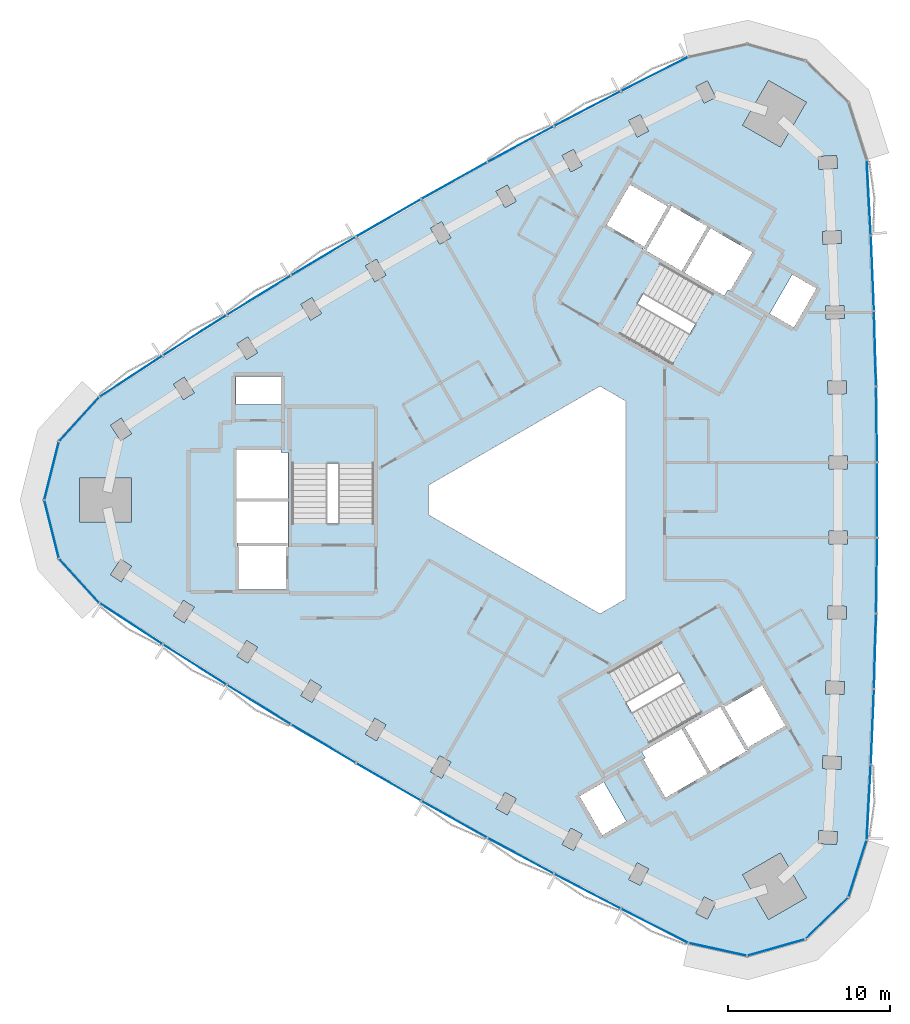
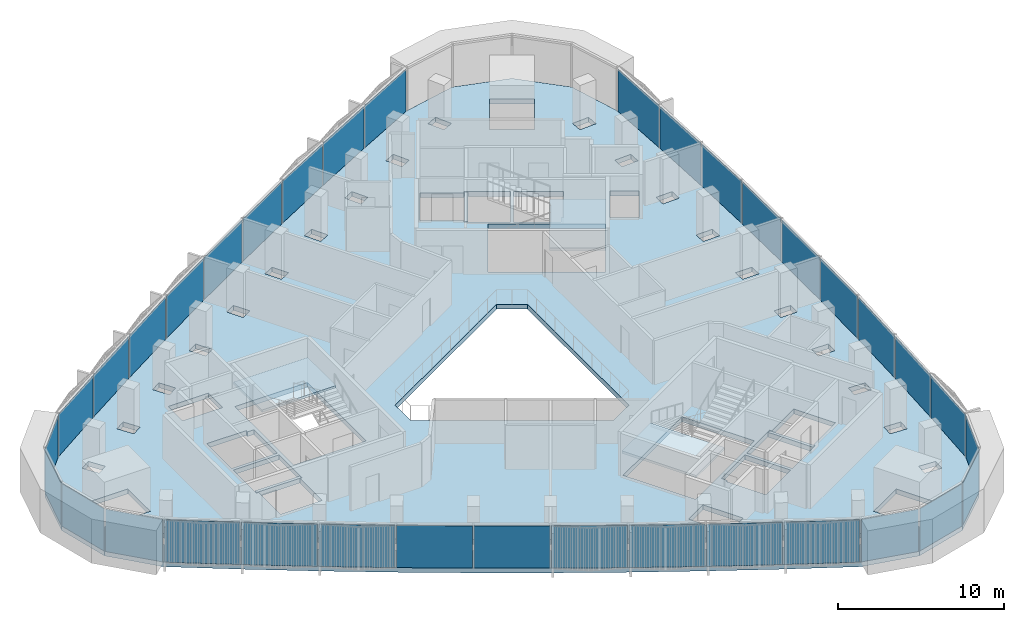
# One storey, part 6 of 13: 35 plates, 4 slabs, 6 elements without a shape of their own.
"""IFC4 building model written with IfcOpenShell, lengths in metres."""

from ifc_helpers import new_model, si_unit, direction, frame, origin, origin_2d, place, context, subcontext, project, spatial, polyline, rectangle, outline, extrude, material, layer, layer_set, type_object, element, aggregate, save


model = new_model("IFC4")

# Units and contexts
model_context = context("Model", 3, precision=1e-05, world=origin(), true_north=direction((0.0, 1.0)))
body_context = subcontext(model_context, "Body", "Model", "MODEL_VIEW")
ifc_project = project(units=[si_unit("LENGTHUNIT", "METRE"), si_unit("AREAUNIT", "SQUARE_METRE"), si_unit("VOLUMEUNIT", "CUBIC_METRE"), si_unit("PLANEANGLEUNIT", "RADIAN"), si_unit("MASSUNIT", "GRAM", prefix="KILO")], contexts=[model_context])

# Site, building, storey
site_placement = place(None, origin())
site = spatial("IfcSite", under=ifc_project, at=site_placement, CompositionType="ELEMENT")
building_placement = place(site_placement, origin())
building = spatial("IfcBuilding", under=site, at=building_placement, Name="Tamra Quay Hotel Tower", CompositionType="ELEMENT")
storey_placement = place(building_placement, frame((0.0, 0.0, 193.60009765625)))
storey = spatial("IfcBuildingStorey", under=building, at=storey_placement, Name="L48", CompositionType="ELEMENT", Elevation=193.60009765625)

# Stair, slab
ifc_material_1 = material(Name="Exit stair 2200 24 risers 150.0 going 342")
stair_type = type_object("IfcStairType", Name="Exit stair 2200 24 risers 150.0 going 342", PredefinedType="HALF_TURN_STAIR", material=ifc_material_1)
stair_1_placement = place(storey_placement, origin())
stair_1 = element("IfcStair", 1, at=stair_1_placement, inside=storey, type_object=stair_type, Name="L48 Exit stair ST3", PredefinedType="HALF_TURN_STAIR")
ifc_material_2 = material(Name="Concrete M70", Category="concrete")
ifc_layer_1 = layer(ifc_material_2, 0.175048828125)
ifc_layer_set_1 = layer_set([ifc_layer_1], Name="Concrete M70 stair landing 180")
slab_type_1 = type_object("IfcSlabType", Name="Concrete M70 stair landing 180", PredefinedType="LANDING", material=ifc_layer_set_1)
slab_1_placement = place(storey_placement, frame((0.0, 0.0, 1.625)))
slab_1 = element("IfcSlab", 2, at=slab_1_placement, type_object=slab_type_1, Name="ST3 landing 1", PredefinedType="LANDING", context=body_context, shape_type="SweptSolid", body=[
    extrude(outline(polyline([(-10.932373046875, 2.261962890625), (-10.932373046875, 5.679931640625), (-16.09130859375, 5.679931640625), (-16.09130859375, 2.261962890625), (-10.932373046875, 2.261962890625)])), origin(), (0.0, 0.0, 1.0), 0.1748046875),
])
aggregate(stair_1, [slab_1])

stair_2_placement = place(storey_placement, origin())
stair_2 = element("IfcStair", 3, at=stair_2_placement, inside=storey, type_object=stair_type, Name="L48 Exit stair ST1", PredefinedType="HALF_TURN_STAIR")
slab_2_placement = place(storey_placement, frame((0.0, 0.0, 1.625)))
slab_2 = element("IfcSlab", 4, at=slab_2_placement, type_object=slab_type_1, Name="ST1 landing 1", PredefinedType="LANDING", context=body_context, shape_type="SweptSolid", body=[
    extrude(outline(polyline([(7.425048828125, 8.336669921875), (10.385009765625, 6.627685546875), (12.964599609375, 11.095458984375), (10.00439453125, 12.804443359375), (7.425048828125, 8.336669921875)])), origin(), (0.0, 0.0, 1.0), 0.1748046875),
])
aggregate(stair_2, [slab_2])

stair_3_placement = place(storey_placement, origin())
stair_3 = element("IfcStair", 5, at=stair_3_placement, inside=storey, type_object=stair_type, Name="L48 Exit stair ST2", PredefinedType="HALF_TURN_STAIR")
slab_3_placement = place(storey_placement, frame((0.0, 0.0, 1.625)))
slab_3 = element("IfcSlab", 6, at=slab_3_placement, type_object=slab_type_1, Name="ST2 landing 1", PredefinedType="LANDING", context=body_context, shape_type="SweptSolid", body=[
    extrude(outline(polyline([(3.50732421875, -10.5986328125), (0.547119140625, -12.3076171875), (3.126708984375, -16.775390625), (6.086669921875, -15.06640625), (3.50732421875, -10.5986328125)])), origin(), (0.0, 0.0, 1.0), 0.1748046875),
])
aggregate(stair_3, [slab_3])

# Slab
ifc_material_3 = material(Name="Concrete M60", Category="concrete")
ifc_layer_2 = layer(ifc_material_3, 0.35009765625)
ifc_layer_set_2 = layer_set([ifc_layer_2], Name="FLOOR SLAB PT 350")
slab_type_2 = type_object("IfcSlabType", Name="FLOOR SLAB PT 350", PredefinedType="FLOOR", material=ifc_layer_set_2)
slab_4_placement = place(storey_placement, frame((0.0, 0.0, -0.35009765625)))
element("IfcSlab", 7, at=slab_4_placement, inside=storey, type_object=slab_type_2, Name="SLAB-L48", PredefinedType="FLOOR", context=body_context, shape_type="SweptSolid", body=[
    extrude(outline(polyline([(19.734619140625, 16.342041015625), (19.9287109375, 11.6748046875), (20.058349609375, 7.006591796875), (20.123291015625, 2.335693359375), (20.123291015625, -2.335693359375), (20.058349609375, -7.006591796875), (19.9287109375, -11.6748046875), (19.734619140625, -16.342041015625), (19.4755859375, -21.00537109375), (18.345703125, -24.553466796875), (15.67236328125, -27.1455078125), (12.091064453125, -28.164794921875), (8.453369140625, -27.369140625), (4.285400390625, -25.261474609375), (0.146240234375, -23.09619140625), (-3.961181640625, -20.87451171875), (-8.038818359375, -18.59521484375), (-12.08447265625, -16.259521484375), (-16.09716796875, -13.86767578125), (-20.074951171875, -11.42138671875), (-24.019775390625, -8.91943359375), (-27.928955078125, -6.36376953125), (-30.436767578125, -3.611083984375), (-31.3447265625, 0.0), (-30.436767578125, 3.611083984375), (-27.928955078125, 6.36376953125), (-24.019775390625, 8.91943359375), (-20.074951171875, 11.42138671875), (-16.09716796875, 13.86767578125), (-12.08447265625, 16.259521484375), (-8.038818359375, 18.59521484375), (-3.961181640625, 20.87451171875), (0.146240234375, 23.09619140625), (4.285400390625, 25.261474609375), (8.453369140625, 27.369140625), (12.091064453125, 28.164794921875), (15.67236328125, 27.1455078125), (18.345703125, 24.553466796875), (19.4755859375, 21.00537109375), (19.734619140625, 16.342041015625)]), holes=[polyline([(-11.500244140625, -14.4736328125), (-10.810302734375, -14.87841796875), (-10.228271484375, -13.88671875), (-10.918212890625, -13.481689453125), (-11.500244140625, -14.4736328125)]), polyline([(-14.89208984375, -11.106689453125), (-15.488037109375, -12.09033203125), (-14.8037109375, -12.5048828125), (-14.207763671875, -11.521240234375), (-14.89208984375, -11.106689453125)]), polyline([(-18.83349609375, -8.6767578125), (-19.4423828125, -9.65234375), (-18.763916015625, -10.075927734375), (-18.15478515625, -9.100341796875), (-18.83349609375, -8.6767578125)]), polyline([(-23.362548828125, -7.159423828125), (-22.689697265625, -7.59228515625), (-22.0673828125, -6.62548828125), (-22.739990234375, -6.1923828125), (-23.362548828125, -7.159423828125)]), polyline([(-26.6123046875, -3.654296875), (-27.247802734375, -4.612548828125), (-26.5810546875, -5.0546875), (-25.945556640625, -4.096435546875), (-26.6123046875, -3.654296875)]), polyline([(-16.3173828125, -2.85498046875), (-19.4072265625, -2.85498046875), (-19.4072265625, -2.89306640625), (-19.307373046875, -2.89306640625), (-19.307373046875, -5.544921875), (-16.417236328125, -5.544921875), (-16.417236328125, -2.89306640625), (-16.3173828125, -2.89306640625), (-16.3173828125, -2.85498046875)]), polyline([(-19.417236328125, -2.64501953125), (-16.307373046875, -2.64501953125), (-16.307373046875, -2.89306640625), (-16.26708984375, -2.89306640625), (-16.26708984375, -0.10498046875), (-19.45751953125, -0.10498046875), (-19.45751953125, -2.89306640625), (-19.417236328125, -2.89306640625), (-19.417236328125, -2.64501953125)]), polyline([(-25.958984375, 1.35009765625), (-29.158935546875, 1.35009765625), (-29.158935546875, -1.35009765625), (-25.958984375, -1.35009765625), (-25.958984375, 1.35009765625)]), polyline([(-16.26708984375, 2.945068359375), (-16.707275390625, 2.945068359375), (-16.707275390625, 3.09521484375), (-19.45751953125, 3.09521484375), (-19.45751953125, 0.10498046875), (-16.26708984375, 0.10498046875), (-16.26708984375, 2.945068359375)]), polyline([(-10.9873046875, -1.455078125), (-10.9873046875, 5.625), (-16.036376953125, 5.625), (-16.036376953125, -1.455078125), (-10.9873046875, -1.455078125)]), polyline([(-25.945556640625, 4.096435546875), (-26.5810546875, 5.0546875), (-27.247802734375, 4.612548828125), (-26.6123046875, 3.654296875), (-25.945556640625, 4.096435546875)]), polyline([(-16.71728515625, 7.64501953125), (-19.50732421875, 7.64501953125), (-19.50732421875, 5.9150390625), (-16.71728515625, 5.9150390625), (-16.71728515625, 7.64501953125)]), polyline([(-22.689697265625, 7.59228515625), (-23.362548828125, 7.159423828125), (-22.739990234375, 6.1923828125), (-22.0673828125, 6.62548828125), (-22.689697265625, 7.59228515625)]), polyline([(-18.15478515625, 9.100341796875), (-18.763916015625, 10.075927734375), (-19.4423828125, 9.65234375), (-18.83349609375, 8.6767578125), (-18.15478515625, 9.100341796875)]), polyline([(-14.207763671875, 11.521240234375), (-14.8037109375, 12.5048828125), (-15.488037109375, 12.09033203125), (-14.89208984375, 11.106689453125), (-14.207763671875, 11.521240234375)]), polyline([(-10.810302734375, 14.87841796875), (-11.500244140625, 14.4736328125), (-10.918212890625, 13.481689453125), (-10.228271484375, 13.88671875), (-10.810302734375, 14.87841796875)]), polyline([(-6.21630859375, 16.196533203125), (-6.784423828125, 17.1962890625), (-7.47998046875, 16.80126953125), (-6.912109375, 15.801513671875), (-6.21630859375, 16.196533203125)]), polyline([(9.42529296875, -24.517578125), (8.9130859375, -25.547119140625), (9.629150390625, -25.903564453125), (10.141357421875, -24.8740234375), (9.42529296875, -24.517578125)]), polyline([(4.76953125, -23.4462890625), (5.48095703125, -23.812255859375), (6.007080078125, -22.78955078125), (5.2958984375, -22.423583984375), (4.76953125, -23.4462890625)]), polyline([(1.196533203125, -20.272705078125), (0.656005859375, -21.28759765625), (1.362060546875, -21.663818359375), (1.902587890625, -20.648681640625), (1.196533203125, -20.272705078125)]), polyline([(1.73779296875, -18.300048828125), (3.1328125, -20.71630859375), (4.631103515625, -19.851318359375), (3.236083984375, -17.43505859375), (1.73779296875, -18.300048828125)]), polyline([(-3.427734375, -19.072998046875), (-2.7265625, -19.458251953125), (-2.172607421875, -18.4501953125), (-2.873779296875, -18.06494140625), (-3.427734375, -19.072998046875)]), polyline([(-6.912109375, -15.801513671875), (-7.47998046875, -16.80126953125), (-6.784423828125, -17.1962890625), (-6.21630859375, -16.196533203125), (-6.912109375, -15.801513671875)]), polyline([(5.5830078125, -15.560302734375), (5.80322265625, -15.94140625), (5.673095703125, -16.0166015625), (7.04833984375, -18.398193359375), (9.6376953125, -16.903076171875), (8.042724609375, -14.14013671875), (5.5830078125, -15.560302734375)]), polyline([(11.999267578125, -15.493408203125), (10.4443359375, -12.800048828125), (10.6591796875, -12.676025390625), (10.63916015625, -12.64111328125), (8.224609375, -14.03515625), (9.819580078125, -16.798095703125), (12.234130859375, -15.404052734375), (12.214111328125, -15.369384765625), (11.999267578125, -15.493408203125)]), polyline([(9.2783203125, -13.160400390625), (6.75390625, -8.78759765625), (0.622314453125, -12.32763671875), (3.146728515625, -16.7001953125), (9.2783203125, -13.160400390625)]), polyline([(3.0, 7.043701171875), (-7.60009765625, 0.923828125), (-7.60009765625, -0.923828125), (3.0, -7.043701171875), (4.60009765625, -6.119873046875), (4.60009765625, 6.119873046875), (3.0, 7.043701171875)]), polyline([(4.2333984375, 10.242919921875), (10.364990234375, 6.702880859375), (12.889404296875, 11.075439453125), (6.758056640625, 14.615478515625), (4.2333984375, 10.242919921875)]), polyline([(7.203125, 18.262451171875), (7.41796875, 18.138427734375), (5.863037109375, 15.445068359375), (5.648193359375, 15.569091796875), (5.628173828125, 15.5341796875), (8.04248046875, 14.140380859375), (9.6376953125, 16.903076171875), (7.22314453125, 18.297119140625), (7.203125, 18.262451171875)]), polyline([(5.68603515625, 15.55859375), (7.231201171875, 18.234619140625), (7.1982421875, 18.253662109375), (7.148193359375, 18.1669921875), (4.8515625, 19.4931640625), (3.406494140625, 16.990234375), (5.703125, 15.664306640625), (5.6533203125, 15.57763671875), (5.68603515625, 15.55859375)]), polyline([(-2.7265625, 19.458251953125), (-3.427734375, 19.072998046875), (-2.873779296875, 18.06494140625), (-2.172607421875, 18.4501953125), (-2.7265625, 19.458251953125)]), polyline([(1.902587890625, 20.648681640625), (1.362060546875, 21.663818359375), (0.656005859375, 21.28759765625), (1.196533203125, 20.272705078125), (1.902587890625, 20.648681640625)]), polyline([(6.007080078125, 22.78955078125), (5.48095703125, 23.812255859375), (4.76953125, 23.4462890625), (5.2958984375, 22.423583984375), (6.007080078125, 22.78955078125)]), polyline([(9.629150390625, 25.903564453125), (8.9130859375, 25.547119140625), (9.42529296875, 24.517578125), (10.141357421875, 24.8740234375), (9.629150390625, 25.903564453125)]), polyline([(11.810302734375, -23.15625), (13.410400390625, -25.927490234375), (15.74853515625, -24.577392578125), (14.148681640625, -21.80615234375), (11.810302734375, -23.15625)]), polyline([(16.470703125, -21.2197265625), (17.61865234375, -21.291015625), (17.668212890625, -20.492431640625), (16.5205078125, -20.42138671875), (16.470703125, -21.2197265625)]), polyline([(17.881591796875, -16.65283203125), (17.920166015625, -15.853759765625), (16.771484375, -15.798095703125), (16.73291015625, -16.59716796875), (17.881591796875, -16.65283203125)]), polyline([(10.631103515625, -12.70361328125), (12.176025390625, -15.379638671875), (12.208984375, -15.360595703125), (12.1591796875, -15.274169921875), (14.455810546875, -13.947998046875), (13.0107421875, -11.4453125), (10.714111328125, -12.771240234375), (10.6640625, -12.6845703125), (10.631103515625, -12.70361328125)]), polyline([(16.930908203125, -11.971923828125), (18.080322265625, -12.011474609375), (18.10791015625, -11.2119140625), (16.95849609375, -11.172607421875), (16.930908203125, -11.971923828125)]), polyline([(18.214599609375, -7.367919921875), (18.2314453125, -6.568115234375), (17.081787109375, -6.543701171875), (17.064697265625, -7.343505859375), (18.214599609375, -7.367919921875)]), polyline([(17.134765625, -2.714599609375), (18.28466796875, -2.72265625), (18.290283203125, -1.9228515625), (17.140380859375, -1.914794921875), (17.134765625, -2.714599609375)]), polyline([(17.140380859375, 1.914794921875), (18.290283203125, 1.9228515625), (18.28466796875, 2.72265625), (17.134765625, 2.714599609375), (17.140380859375, 1.914794921875)]), polyline([(18.2314453125, 6.568115234375), (18.214599609375, 7.367919921875), (17.064697265625, 7.343505859375), (17.081787109375, 6.543701171875), (18.2314453125, 6.568115234375)]), polyline([(16.95849609375, 11.172607421875), (18.10791015625, 11.2119140625), (18.080322265625, 12.011474609375), (16.930908203125, 11.971923828125), (16.95849609375, 11.172607421875)]), polyline([(14.9794921875, 10.655029296875), (16.37451171875, 13.0712890625), (14.876220703125, 13.936279296875), (13.481201171875, 11.52001953125), (14.9794921875, 10.655029296875)]), polyline([(10.68408203125, 12.615234375), (10.904052734375, 12.996337890625), (11.0341796875, 12.92138671875), (12.4091796875, 15.302978515625), (9.819580078125, 16.798095703125), (8.224365234375, 14.035400390625), (10.68408203125, 12.615234375)]), polyline([(16.771484375, 15.798095703125), (17.920166015625, 15.853759765625), (17.881591796875, 16.65283203125), (16.73291015625, 16.59716796875), (16.771484375, 15.798095703125)]), polyline([(16.5205078125, 20.42138671875), (17.668212890625, 20.492431640625), (17.61865234375, 21.291015625), (16.470703125, 21.2197265625), (16.5205078125, 20.42138671875)]), polyline([(14.148681640625, 21.80615234375), (15.74853515625, 24.577392578125), (13.410400390625, 25.927490234375), (11.810302734375, 23.15625), (14.148681640625, 21.80615234375)])]), origin(), (0.0, 0.0, 1.0), 0.35009765625),
])

# Curtain wall, plates
ifc_material_4 = material(Name="Aluminium 6063 anodised dark grey", Category="aluminium")
curtain_wall_type_1 = type_object("IfcCurtainWallType", Name="CW1 CURTAIN WALL", PredefinedType="NOTDEFINED", material=ifc_material_4)
curtain_wall_1_placement = place(storey_placement, origin())
curtain_wall_1 = element("IfcCurtainWall", 8, at=curtain_wall_1_placement, inside=storey, type_object=curtain_wall_type_1, Name="CW1 east face L48", PredefinedType="NOTDEFINED")
ifc_material_5 = material(Name="Glass clear laminated low-iron", Category="glass")
ifc_layer_3 = layer(ifc_material_5, 0.030029296875)
ifc_layer_set_3 = layer_set([ifc_layer_3], Name="GLASS PANEL CW1 Z4")
plate_type_1 = type_object("IfcPlateType", Name="GLASS PANEL CW1 Z4", PredefinedType="CURTAIN_PANEL", material=ifc_layer_set_3)
plate_1_placement = place(storey_placement, frame((19.60498046875, -18.673583984375, 0.0), z_axis=(0.0, 0.0, 1.0), x_axis=(0.055416308058, 0.998463335732, 0.0)))
plate_1 = element("IfcPlate", 9, at=plate_1_placement, type_object=plate_type_1, Name="CW1 glass L48.E.1", PredefinedType="CURTAIN_PANEL", context=body_context, shape_type="SweptSolid", body=[
    extrude(rectangle(XDim=4.570556640625, YDim=0.030029296875, at=origin_2d()), origin(), (0.0, 0.0, 1.0), 3.110107421875),
])
plate_2_placement = place(storey_placement, frame((19.83154296875, -14.00830078125, 0.0), z_axis=(0.0, 0.0, 1.0), x_axis=(0.041599153709, 0.999134380557, 0.0)))
plate_2 = element("IfcPlate", 10, at=plate_2_placement, type_object=plate_type_1, Name="CW1 glass L48.E.2", PredefinedType="CURTAIN_PANEL", context=body_context, shape_type="SweptSolid", body=[
    extrude(rectangle(XDim=4.5712890625, YDim=0.030029296875, at=origin_2d()), origin(), (0.0, 0.0, 1.0), 3.110107421875),
])
plate_3_placement = place(storey_placement, frame((19.99365234375, -9.340576171875, 0.0), z_axis=(0.0, 0.0, 1.0), x_axis=(0.027753587392, 0.999614795002, 0.0)))
plate_3 = element("IfcPlate", 11, at=plate_3_placement, type_object=plate_type_1, Name="CW1 glass L48.E.3", PredefinedType="CURTAIN_PANEL", context=body_context, shape_type="SweptSolid", body=[
    extrude(rectangle(XDim=4.56982421875, YDim=0.030029296875, at=origin_2d()), origin(), (0.0, 0.0, 1.0), 3.110107421875),
])
plate_4_placement = place(storey_placement, frame((20.0908203125, -4.671142578125, 0.0), z_axis=(0.0, 0.0, 1.0), x_axis=(0.013886463743, 0.999903578414, 0.0)))
plate_4 = element("IfcPlate", 12, at=plate_4_placement, type_object=plate_type_1, Name="CW1 glass L48.E.4", PredefinedType="CURTAIN_PANEL", context=body_context, shape_type="SweptSolid", body=[
    extrude(rectangle(XDim=4.571533203125, YDim=0.030029296875, at=origin_2d()), origin(), (0.0, 0.0, 1.0), 3.110107421875),
])
plate_5_placement = place(storey_placement, frame((20.123291015625, 0.0, 0.0), z_axis=(0.0, 0.0, 1.0), x_axis=(0.0, 1.0, 0.0)))
plate_5 = element("IfcPlate", 13, at=plate_5_placement, type_object=plate_type_1, Name="CW1 glass L48.E.5", PredefinedType="CURTAIN_PANEL", context=body_context, shape_type="SweptSolid", body=[
    extrude(rectangle(XDim=4.571533203125, YDim=0.030029296875, at=origin_2d()), origin(), (0.0, 0.0, 1.0), 3.110107421875),
])
plate_6_placement = place(storey_placement, frame((20.0908203125, 4.671142578125, 0.0), z_axis=(0.0, 0.0, 1.0), x_axis=(-0.013886463743, 0.999903578414, 0.0)))
plate_6 = element("IfcPlate", 14, at=plate_6_placement, type_object=plate_type_1, Name="CW1 glass L48.E.6", PredefinedType="CURTAIN_PANEL", context=body_context, shape_type="SweptSolid", body=[
    extrude(rectangle(XDim=4.571533203125, YDim=0.030029296875, at=origin_2d()), origin(), (0.0, 0.0, 1.0), 3.110107421875),
])
plate_7_placement = place(storey_placement, frame((19.99365234375, 9.340576171875, 0.0), z_axis=(0.0, 0.0, 1.0), x_axis=(-0.027753587392, 0.999614795002, 0.0)))
plate_7 = element("IfcPlate", 15, at=plate_7_placement, type_object=plate_type_1, Name="CW1 glass L48.E.7", PredefinedType="CURTAIN_PANEL", context=body_context, shape_type="SweptSolid", body=[
    extrude(rectangle(XDim=4.56982421875, YDim=0.030029296875, at=origin_2d()), origin(), (0.0, 0.0, 1.0), 3.110107421875),
])
plate_8_placement = place(storey_placement, frame((19.83154296875, 14.00830078125, 0.0), z_axis=(0.0, 0.0, 1.0), x_axis=(-0.041599153709, 0.999134380557, 0.0)))
plate_8 = element("IfcPlate", 16, at=plate_8_placement, type_object=plate_type_1, Name="CW1 glass L48.E.8", PredefinedType="CURTAIN_PANEL", context=body_context, shape_type="SweptSolid", body=[
    extrude(rectangle(XDim=4.5712890625, YDim=0.030029296875, at=origin_2d()), origin(), (0.0, 0.0, 1.0), 3.110107421875),
])
plate_9_placement = place(storey_placement, frame((19.60498046875, 18.673583984375, 0.0), z_axis=(0.0, 0.0, 1.0), x_axis=(-0.055416308058, 0.998463335732, 0.0)))
plate_9 = element("IfcPlate", 17, at=plate_9_placement, type_object=plate_type_1, Name="CW1 glass L48.E.9", PredefinedType="CURTAIN_PANEL", context=body_context, shape_type="SweptSolid", body=[
    extrude(rectangle(XDim=4.570556640625, YDim=0.030029296875, at=origin_2d()), origin(), (0.0, 0.0, 1.0), 3.110107421875),
])
aggregate(curtain_wall_1, [plate_1, plate_2, plate_3, plate_4, plate_5, plate_6, plate_7, plate_8, plate_9])

curtain_wall_type_2 = type_object("IfcCurtainWallType", Name="CW2 CURTAIN WALL", PredefinedType="NOTDEFINED", material=ifc_material_4)
curtain_wall_2_placement = place(storey_placement, origin())
curtain_wall_2 = element("IfcCurtainWall", 18, at=curtain_wall_2_placement, inside=storey, type_object=curtain_wall_type_2, Name="CW2 north-west face L48", PredefinedType="NOTDEFINED")
ifc_layer_4 = layer(ifc_material_5, 0.030029296875)
ifc_layer_set_4 = layer_set([ifc_layer_4], Name="GLASS PANEL CW2 Z4")
plate_type_2 = type_object("IfcPlateType", Name="GLASS PANEL CW2 Z4", PredefinedType="CURTAIN_PANEL", material=ifc_layer_set_4)
plate_10_placement = place(storey_placement, frame((6.369384765625, 26.3154296875, 0.0), z_axis=(0.0, 0.0, 1.0), x_axis=(-0.89240276752, -0.451239737304, 0.0)))
plate_10 = element("IfcPlate", 19, at=plate_10_placement, type_object=plate_type_2, Name="CW2 glass L48.NW.1", PredefinedType="CURTAIN_PANEL", context=body_context, shape_type="SweptSolid", body=[
    extrude(rectangle(XDim=4.570556640625, YDim=0.030029296875, at=origin_2d()), origin(), (0.0, 0.0, 1.0), 3.110107421875),
])
plate_11_placement = place(storey_placement, frame((2.2158203125, 24.178955078125, 0.0), z_axis=(0.0, 0.0, 1.0), x_axis=(-0.886075332211, -0.46354126639, 0.0)))
plate_11 = element("IfcPlate", 20, at=plate_11_placement, type_object=plate_type_2, Name="CW2 glass L48.NW.2", PredefinedType="CURTAIN_PANEL", context=body_context, shape_type="SweptSolid", body=[
    extrude(rectangle(XDim=4.5712890625, YDim=0.030029296875, at=origin_2d()), origin(), (0.0, 0.0, 1.0), 3.110107421875),
])
plate_12_placement = place(storey_placement, frame((-1.907470703125, 21.9853515625, 0.0), z_axis=(0.0, 0.0, 1.0), x_axis=(-0.879568600166, -0.475772085773, 0.0)))
plate_12 = element("IfcPlate", 21, at=plate_12_placement, type_object=plate_type_2, Name="CW2 glass L48.NW.3", PredefinedType="CURTAIN_PANEL", context=body_context, shape_type="SweptSolid", body=[
    extrude(rectangle(XDim=4.56982421875, YDim=0.030029296875, at=origin_2d()), origin(), (0.0, 0.0, 1.0), 3.110107421875),
])
plate_13_placement = place(storey_placement, frame((-6.0, 19.73486328125, 0.0), z_axis=(0.0, 0.0, 1.0), x_axis=(-0.872885132113, -0.487925758836, 0.0)))
plate_13 = element("IfcPlate", 22, at=plate_13_placement, type_object=plate_type_2, Name="CW2 glass L48.NW.4", PredefinedType="CURTAIN_PANEL", context=body_context, shape_type="SweptSolid", body=[
    extrude(rectangle(XDim=4.571533203125, YDim=0.030029296875, at=origin_2d()), origin(), (0.0, 0.0, 1.0), 3.110107421875),
])
plate_14_placement = place(storey_placement, frame((-10.0615234375, 17.42724609375, 0.0), z_axis=(0.0, 0.0, 1.0), x_axis=(-0.866025403784, -0.5, 0.0)))
plate_14 = element("IfcPlate", 23, at=plate_14_placement, type_object=plate_type_2, Name="CW2 glass L48.NW.5", PredefinedType="CURTAIN_PANEL", context=body_context, shape_type="SweptSolid", body=[
    extrude(rectangle(XDim=4.571533203125, YDim=0.030029296875, at=origin_2d()), origin(), (0.0, 0.0, 1.0), 3.110107421875),
])
plate_15_placement = place(storey_placement, frame((-14.0908203125, 15.0634765625, 0.0), z_axis=(0.0, 0.0, 1.0), x_axis=(-0.85899866837, -0.511977819577, 0.0)))
plate_15 = element("IfcPlate", 24, at=plate_15_placement, type_object=plate_type_2, Name="CW2 glass L48.NW.6", PredefinedType="CURTAIN_PANEL", context=body_context, shape_type="SweptSolid", body=[
    extrude(rectangle(XDim=4.571533203125, YDim=0.030029296875, at=origin_2d()), origin(), (0.0, 0.0, 1.0), 3.110107421875),
])
plate_16_placement = place(storey_placement, frame((-18.0859375, 12.64453125, 0.0), z_axis=(0.0, 0.0, 1.0), x_axis=(-0.851815012775, -0.523842709229, 0.0)))
plate_16 = element("IfcPlate", 25, at=plate_16_placement, type_object=plate_type_2, Name="CW2 glass L48.NW.7", PredefinedType="CURTAIN_PANEL", context=body_context, shape_type="SweptSolid", body=[
    extrude(rectangle(XDim=4.56982421875, YDim=0.030029296875, at=origin_2d()), origin(), (0.0, 0.0, 1.0), 3.110107421875),
])
plate_17_placement = place(storey_placement, frame((-22.04736328125, 10.17041015625, 0.0), z_axis=(0.0, 0.0, 1.0), x_axis=(-0.844476178502, -0.535593114167, 0.0)))
plate_17 = element("IfcPlate", 26, at=plate_17_placement, type_object=plate_type_2, Name="CW2 glass L48.NW.8", PredefinedType="CURTAIN_PANEL", context=body_context, shape_type="SweptSolid", body=[
    extrude(rectangle(XDim=4.5712890625, YDim=0.030029296875, at=origin_2d()), origin(), (0.0, 0.0, 1.0), 3.110107421875),
])
plate_18_placement = place(storey_placement, frame((-25.974365234375, 7.6416015625, 0.0), z_axis=(0.0, 0.0, 1.0), x_axis=(-0.836986459463, -0.547223598428, 0.0)))
plate_18 = element("IfcPlate", 27, at=plate_18_placement, type_object=plate_type_2, Name="CW2 glass L48.NW.9", PredefinedType="CURTAIN_PANEL", context=body_context, shape_type="SweptSolid", body=[
    extrude(rectangle(XDim=4.570556640625, YDim=0.030029296875, at=origin_2d()), origin(), (0.0, 0.0, 1.0), 3.110107421875),
])
plate_19_placement = place(storey_placement, frame((-29.182861328125, 4.987548828125, 0.0), z_axis=(0.0, 0.0, 1.0), x_axis=(-0.673495681519, -0.739191157262, 0.0)))
plate_19 = element("IfcPlate", 28, at=plate_19_placement, type_object=plate_type_2, Name="CW2 glass L48.NW.10", PredefinedType="CURTAIN_PANEL", context=body_context, shape_type="SweptSolid", body=[
    extrude(rectangle(XDim=3.62353515625, YDim=0.030029296875, at=origin_2d()), origin(), (0.0, 0.0, 1.0), 3.110107421875),
])
plate_20_placement = place(storey_placement, frame((-30.890869140625, 1.8056640625, 0.0), z_axis=(0.0, 0.0, 1.0), x_axis=(-0.243826260198, -0.969818928892, 0.0)))
plate_20 = element("IfcPlate", 29, at=plate_20_placement, type_object=plate_type_2, Name="CW2 glass L48.NW.11", PredefinedType="CURTAIN_PANEL", context=body_context, shape_type="SweptSolid", body=[
    extrude(rectangle(XDim=3.62353515625, YDim=0.030029296875, at=origin_2d()), origin(), (0.0, 0.0, 1.0), 3.110107421875),
])
plate_21_placement = place(storey_placement, frame((-30.890869140625, -1.8056640625, 0.0), z_axis=(0.0, 0.0, 1.0), x_axis=(0.243826260198, -0.969818928892, 0.0)))
plate_21 = element("IfcPlate", 30, at=plate_21_placement, type_object=plate_type_2, Name="CW2 glass L48.NW.12", PredefinedType="CURTAIN_PANEL", context=body_context, shape_type="SweptSolid", body=[
    extrude(rectangle(XDim=3.62353515625, YDim=0.030029296875, at=origin_2d()), origin(), (0.0, 0.0, 1.0), 3.110107421875),
])
plate_22_placement = place(storey_placement, frame((-29.182861328125, -4.987548828125, 0.0), z_axis=(0.0, 0.0, 1.0), x_axis=(0.673495681519, -0.739191157262, 0.0)))
plate_22 = element("IfcPlate", 31, at=plate_22_placement, type_object=plate_type_2, Name="CW2 glass L48.NW.13", PredefinedType="CURTAIN_PANEL", context=body_context, shape_type="SweptSolid", body=[
    extrude(rectangle(XDim=3.62353515625, YDim=0.030029296875, at=origin_2d()), origin(), (0.0, 0.0, 1.0), 3.110107421875),
])
aggregate(curtain_wall_2, [plate_10, plate_11, plate_12, plate_13, plate_14, plate_15, plate_16, plate_17, plate_18, plate_19, plate_20, plate_21, plate_22])

curtain_wall_type_3 = type_object("IfcCurtainWallType", Name="CW3 CURTAIN WALL", PredefinedType="NOTDEFINED", material=ifc_material_4)
curtain_wall_3_placement = place(storey_placement, origin())
curtain_wall_3 = element("IfcCurtainWall", 32, at=curtain_wall_3_placement, inside=storey, type_object=curtain_wall_type_3, Name="CW3 south-west face L48", PredefinedType="NOTDEFINED")
ifc_layer_5 = layer(ifc_material_5, 0.030029296875)
ifc_layer_set_5 = layer_set([ifc_layer_5], Name="GLASS PANEL CW3 Z4")
plate_type_3 = type_object("IfcPlateType", Name="GLASS PANEL CW3 Z4", PredefinedType="CURTAIN_PANEL", material=ifc_layer_set_5)
plate_23_placement = place(storey_placement, frame((-25.974365234375, -7.6416015625, 0.0), z_axis=(0.0, 0.0, 1.0), x_axis=(0.836986459463, -0.547223598428, 0.0)))
plate_23 = element("IfcPlate", 33, at=plate_23_placement, type_object=plate_type_3, Name="CW3 glass L48.SW.1", PredefinedType="CURTAIN_PANEL", context=body_context, shape_type="SweptSolid", body=[
    extrude(rectangle(XDim=4.570556640625, YDim=0.030029296875, at=origin_2d()), origin(), (0.0, 0.0, 1.0), 3.110107421875),
])
plate_24_placement = place(storey_placement, frame((-22.04736328125, -10.17041015625, 0.0), z_axis=(0.0, 0.0, 1.0), x_axis=(0.844476178502, -0.535593114167, 0.0)))
plate_24 = element("IfcPlate", 34, at=plate_24_placement, type_object=plate_type_3, Name="CW3 glass L48.SW.2", PredefinedType="CURTAIN_PANEL", context=body_context, shape_type="SweptSolid", body=[
    extrude(rectangle(XDim=4.5712890625, YDim=0.030029296875, at=origin_2d()), origin(), (0.0, 0.0, 1.0), 3.110107421875),
])
plate_25_placement = place(storey_placement, frame((-18.0859375, -12.64453125, 0.0), z_axis=(0.0, 0.0, 1.0), x_axis=(0.851815012775, -0.523842709229, 0.0)))
plate_25 = element("IfcPlate", 35, at=plate_25_placement, type_object=plate_type_3, Name="CW3 glass L48.SW.3", PredefinedType="CURTAIN_PANEL", context=body_context, shape_type="SweptSolid", body=[
    extrude(rectangle(XDim=4.56982421875, YDim=0.030029296875, at=origin_2d()), origin(), (0.0, 0.0, 1.0), 3.110107421875),
])
plate_26_placement = place(storey_placement, frame((-14.0908203125, -15.0634765625, 0.0), z_axis=(0.0, 0.0, 1.0), x_axis=(0.85899866837, -0.511977819577, 0.0)))
plate_26 = element("IfcPlate", 36, at=plate_26_placement, type_object=plate_type_3, Name="CW3 glass L48.SW.4", PredefinedType="CURTAIN_PANEL", context=body_context, shape_type="SweptSolid", body=[
    extrude(rectangle(XDim=4.571533203125, YDim=0.030029296875, at=origin_2d()), origin(), (0.0, 0.0, 1.0), 3.110107421875),
])
plate_27_placement = place(storey_placement, frame((-10.0615234375, -17.42724609375, 0.0), z_axis=(0.0, 0.0, 1.0), x_axis=(0.866025403784, -0.5, 0.0)))
plate_27 = element("IfcPlate", 37, at=plate_27_placement, type_object=plate_type_3, Name="CW3 glass L48.SW.5", PredefinedType="CURTAIN_PANEL", context=body_context, shape_type="SweptSolid", body=[
    extrude(rectangle(XDim=4.571533203125, YDim=0.030029296875, at=origin_2d()), origin(), (0.0, 0.0, 1.0), 3.110107421875),
])
plate_28_placement = place(storey_placement, frame((-6.0, -19.73486328125, 0.0), z_axis=(0.0, 0.0, 1.0), x_axis=(0.872885132113, -0.487925758836, 0.0)))
plate_28 = element("IfcPlate", 38, at=plate_28_placement, type_object=plate_type_3, Name="CW3 glass L48.SW.6", PredefinedType="CURTAIN_PANEL", context=body_context, shape_type="SweptSolid", body=[
    extrude(rectangle(XDim=4.571533203125, YDim=0.030029296875, at=origin_2d()), origin(), (0.0, 0.0, 1.0), 3.110107421875),
])
plate_29_placement = place(storey_placement, frame((-1.907470703125, -21.9853515625, 0.0), z_axis=(0.0, 0.0, 1.0), x_axis=(0.879568600166, -0.475772085773, 0.0)))
plate_29 = element("IfcPlate", 39, at=plate_29_placement, type_object=plate_type_3, Name="CW3 glass L48.SW.7", PredefinedType="CURTAIN_PANEL", context=body_context, shape_type="SweptSolid", body=[
    extrude(rectangle(XDim=4.56982421875, YDim=0.030029296875, at=origin_2d()), origin(), (0.0, 0.0, 1.0), 3.110107421875),
])
plate_30_placement = place(storey_placement, frame((2.2158203125, -24.178955078125, 0.0), z_axis=(0.0, 0.0, 1.0), x_axis=(0.886075332211, -0.46354126639, 0.0)))
plate_30 = element("IfcPlate", 40, at=plate_30_placement, type_object=plate_type_3, Name="CW3 glass L48.SW.8", PredefinedType="CURTAIN_PANEL", context=body_context, shape_type="SweptSolid", body=[
    extrude(rectangle(XDim=4.5712890625, YDim=0.030029296875, at=origin_2d()), origin(), (0.0, 0.0, 1.0), 3.110107421875),
])
plate_31_placement = place(storey_placement, frame((6.369384765625, -26.3154296875, 0.0), z_axis=(0.0, 0.0, 1.0), x_axis=(0.89240276752, -0.451239737304, 0.0)))
plate_31 = element("IfcPlate", 41, at=plate_31_placement, type_object=plate_type_3, Name="CW3 glass L48.SW.9", PredefinedType="CURTAIN_PANEL", context=body_context, shape_type="SweptSolid", body=[
    extrude(rectangle(XDim=4.570556640625, YDim=0.030029296875, at=origin_2d()), origin(), (0.0, 0.0, 1.0), 3.110107421875),
])
plate_32_placement = place(storey_placement, frame((10.272216796875, -27.766845703125, 0.0), z_axis=(0.0, 0.0, 1.0), x_axis=(0.976906161202, -0.213668790904, 0.0)))
plate_32 = element("IfcPlate", 42, at=plate_32_placement, type_object=plate_type_3, Name="CW3 glass L48.SW.10", PredefinedType="CURTAIN_PANEL", context=body_context, shape_type="SweptSolid", body=[
    extrude(rectangle(XDim=3.62353515625, YDim=0.030029296875, at=origin_2d()), origin(), (0.0, 0.0, 1.0), 3.110107421875),
])
plate_33_placement = place(storey_placement, frame((13.881591796875, -27.655029296875, 0.0), z_axis=(0.0, 0.0, 1.0), x_axis=(0.961800959591, 0.273749729005, 0.0)))
plate_33 = element("IfcPlate", 43, at=plate_33_placement, type_object=plate_type_3, Name="CW3 glass L48.SW.11", PredefinedType="CURTAIN_PANEL", context=body_context, shape_type="SweptSolid", body=[
    extrude(rectangle(XDim=3.62353515625, YDim=0.030029296875, at=origin_2d()), origin(), (0.0, 0.0, 1.0), 3.110107421875),
])
plate_34_placement = place(storey_placement, frame((17.009033203125, -25.849365234375, 0.0), z_axis=(0.0, 0.0, 1.0), x_axis=(0.717974699393, 0.696069199888, 0.0)))
plate_34 = element("IfcPlate", 44, at=plate_34_placement, type_object=plate_type_3, Name="CW3 glass L48.SW.12", PredefinedType="CURTAIN_PANEL", context=body_context, shape_type="SweptSolid", body=[
    extrude(rectangle(XDim=3.62353515625, YDim=0.030029296875, at=origin_2d()), origin(), (0.0, 0.0, 1.0), 3.110107421875),
])
plate_35_placement = place(storey_placement, frame((18.91064453125, -22.779541015625, 0.0), z_axis=(0.0, 0.0, 1.0), x_axis=(0.303410479682, 0.952859948166, 0.0)))
plate_35 = element("IfcPlate", 45, at=plate_35_placement, type_object=plate_type_3, Name="CW3 glass L48.SW.13", PredefinedType="CURTAIN_PANEL", context=body_context, shape_type="SweptSolid", body=[
    extrude(rectangle(XDim=3.62353515625, YDim=0.030029296875, at=origin_2d()), origin(), (0.0, 0.0, 1.0), 3.110107421875),
])
aggregate(curtain_wall_3, [plate_23, plate_24, plate_25, plate_26, plate_27, plate_28, plate_29, plate_30, plate_31, plate_32, plate_33, plate_34, plate_35])

save(model, "model.ifc")
